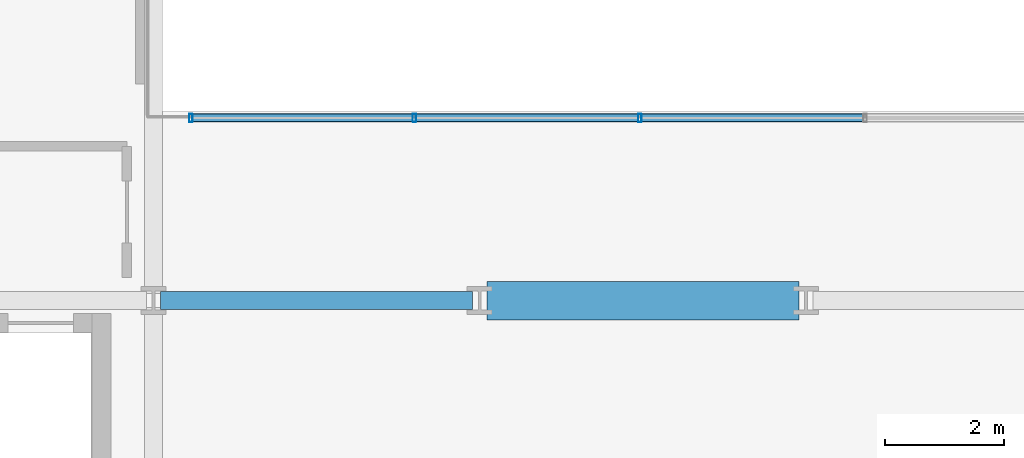
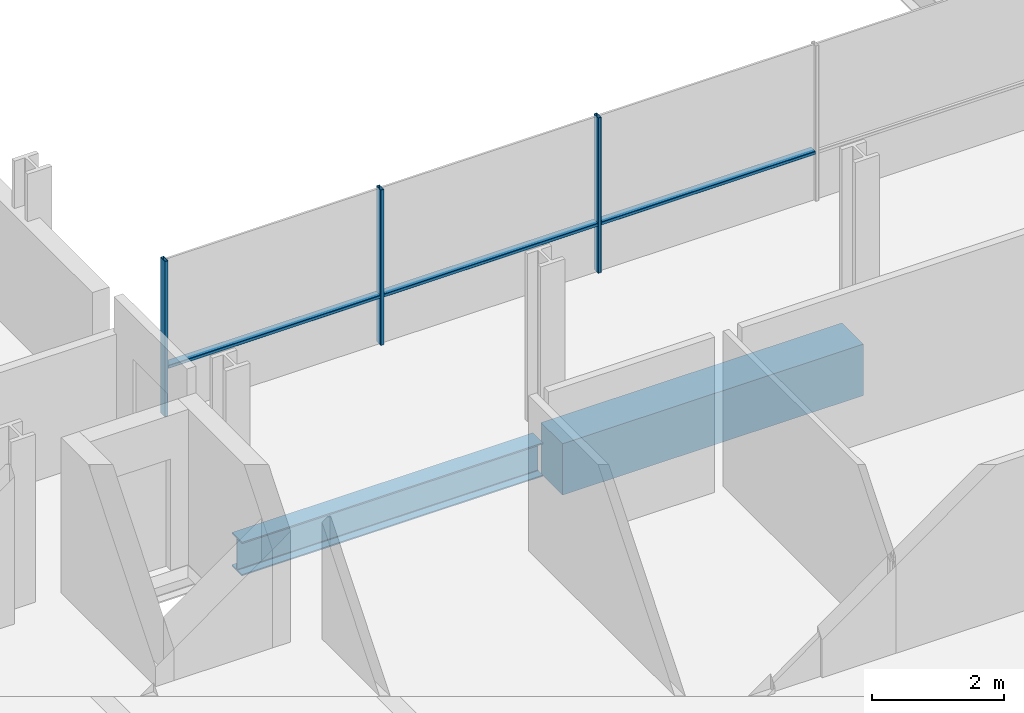
# One storey, part 4 of 40: 6 members, 2 beams, 1 element without a shape of its own.
"""IFC4 building model written with IfcOpenShell, lengths in metres."""

from ifc_helpers import new_model, si_unit, direction, frame, origin, origin_2d, place, context, subcontext, project, spatial, rectangle, hollow_rectangle, i_section, extrude, material, layer, layer_set, material_profile, profile_set, type_object, element, aggregate, save


model = new_model("IFC4")

# Units and contexts
model_context = context("Model", 3, precision=1e-05, world=origin(), true_north=direction((0.0, 1.0)))
body_context = subcontext(model_context, "Body", "Model", "MODEL_VIEW")
ifc_project = project(units=[si_unit("LENGTHUNIT", "METRE"), si_unit("AREAUNIT", "SQUARE_METRE"), si_unit("VOLUMEUNIT", "CUBIC_METRE"), si_unit("PLANEANGLEUNIT", "RADIAN"), si_unit("MASSUNIT", "GRAM", prefix="KILO")], contexts=[model_context])

# Site, building, storey
site_placement = place(None, origin())
site = spatial("IfcSite", under=ifc_project, at=site_placement, CompositionType="ELEMENT")
building_placement = place(site_placement, origin())
building = spatial("IfcBuilding", under=site, at=building_placement, Name="Brevholm Reach", CompositionType="ELEMENT")
storey_placement = place(building_placement, frame((0.0, 0.0, 31.10009765625)))
storey = spatial("IfcBuildingStorey", under=building, at=storey_placement, Name="L07", CompositionType="ELEMENT", Elevation=31.10009765625)

# Beams
ifc_material_1 = material(Name="Concrete C60/75", Category="concrete")
ifc_material_profile_1 = material_profile(ifc_material_1, rectangle(XDim=0.64990234375, YDim=0.949951171875, at=origin_2d()), Name="RC 650x950")
ifc_profile_set_1 = profile_set([ifc_material_profile_1], Name="Concrete C60/75")
beam_type_1 = type_object("IfcBeamType", Name="BM-CB650", PredefinedType="LINTEL", material=ifc_profile_set_1)
beam_1_placement = place(storey_placement, frame((27.3701171875, 10.0, -0.705078125), z_axis=(1.0, 0.0, 0.0), x_axis=(0.0, 1.0, 0.0)))
element("IfcBeam", 1, at=beam_1_placement, inside=storey, type_object=beam_type_1, Name="L07 CB-01 Framing Beam", PredefinedType="LINTEL", context=body_context, shape_type="SweptSolid", body=[
    extrude(rectangle(XDim=0.64990234375, YDim=0.949951171875, at=origin_2d()), origin(), (0.0, 0.0, 1.0), 5.259765625),
])
ifc_material_2 = material(Name="Structural Steel S355J2", Category="steel")
ifc_material_profile_2 = material_profile(ifc_material_2, i_section(OverallWidth=0.30712890625, OverallDepth=0.6201171875, WebThickness=0.01416015625, FlangeThickness=0.023681640625, FilletRadius=0.0166015625, at=origin_2d()), Name="UKB 610x305x179")
ifc_profile_set_2 = profile_set([ifc_material_profile_2], Name="Structural Steel S355J2")
beam_type_2 = type_object("IfcBeamType", Name="BM-UKB610H", PredefinedType="USERDEFINED", material=ifc_profile_set_2)
beam_2_placement = place(storey_placement, frame((21.8701171875, 10.0, -0.540283203125), z_axis=(1.0, 0.0, 0.0), x_axis=(0.0, 1.0, 0.0)))
element("IfcBeam", 2, at=beam_2_placement, inside=storey, type_object=beam_type_2, Name="L07 G-06 Framing Beam", ObjectType="GIRDER", PredefinedType="USERDEFINED", context=body_context, shape_type="SweptSolid", body=[
    extrude(i_section(OverallWidth=0.30712890625, OverallDepth=0.6201171875, WebThickness=0.01416015625, FlangeThickness=0.023681640625, FilletRadius=0.0166015625, at=origin_2d()), origin(), (0.0, 0.0, 1.0), 5.259765625),
])

# Curtain wall, members
ifc_material_3 = material(Name="Dark Anodised Aluminium 6063-T6 and Solar-Control Glass", Category="aluminium")
ifc_layer = layer(ifc_material_3, 0.139892578125)
ifc_layer_set = layer_set([ifc_layer], Name="Dark Anodised Aluminium 6063-T6 and Solar-Control Glass")
curtain_wall_type = type_object("IfcCurtainWallType", Name="CW-02", PredefinedType="NOTDEFINED", material=ifc_layer_set)
curtain_wall_placement = place(storey_placement, origin())
curtain_wall = element("IfcCurtainWall", 3, at=curtain_wall_placement, inside=storey, type_object=curtain_wall_type, Name="L07 Curtain Wall CW-02", PredefinedType="NOTDEFINED")
ifc_material_4 = material(Name="Dark Anodised Aluminium 6063-T6", Category="aluminium")
ifc_material_profile_3 = material_profile(ifc_material_4, hollow_rectangle(XDim=0.06005859375, YDim=0.139892578125, WallThickness=0.0048828125, InnerFilletRadius=0.0048828125, OuterFilletRadius=0.010009765625, at=origin_2d()), Name="RHS 140x60x5")
ifc_profile_set_3 = profile_set([ifc_material_profile_3], Name="Dark Anodised Aluminium 6063-T6")
member_type_1 = type_object("IfcMemberType", Name="CWM-140", PredefinedType="MULLION", material=ifc_profile_set_3)
member_1_placement = place(storey_placement, frame((22.3798828125, 13.080078125, 0.0), z_axis=(0.0, 0.0, 1.0), x_axis=(1.0, 0.0, 0.0)))
member_1 = element("IfcMember", 4, at=member_1_placement, type_object=member_type_1, Name="CM-140 Mullion 1", PredefinedType="MULLION", context=body_context, shape_type="SweptSolid", body=[
    extrude(hollow_rectangle(XDim=0.06005859375, YDim=0.139892578125, WallThickness=0.0048828125, InnerFilletRadius=0.0048828125, OuterFilletRadius=0.010009765625, at=origin_2d()), origin(), (0.0, 0.0, 1.0), 2.869873046875),
])
member_2_placement = place(storey_placement, frame((26.14990234375, 13.080078125, 0.0), z_axis=(0.0, 0.0, 1.0), x_axis=(1.0, 0.0, 0.0)))
member_2 = element("IfcMember", 5, at=member_2_placement, type_object=member_type_1, Name="CM-140 Mullion 2", PredefinedType="MULLION", context=body_context, shape_type="SweptSolid", body=[
    extrude(hollow_rectangle(XDim=0.06005859375, YDim=0.139892578125, WallThickness=0.0048828125, InnerFilletRadius=0.0048828125, OuterFilletRadius=0.010009765625, at=origin_2d()), origin(), (0.0, 0.0, 1.0), 2.869873046875),
])
member_3_placement = place(storey_placement, frame((29.949951171875, 13.080078125, 0.0), z_axis=(0.0, 0.0, 1.0), x_axis=(1.0, 0.0, 0.0)))
member_3 = element("IfcMember", 6, at=member_3_placement, type_object=member_type_1, Name="CM-140 Mullion 3", PredefinedType="MULLION", context=body_context, shape_type="SweptSolid", body=[
    extrude(hollow_rectangle(XDim=0.06005859375, YDim=0.139892578125, WallThickness=0.0048828125, InnerFilletRadius=0.0048828125, OuterFilletRadius=0.010009765625, at=origin_2d()), origin(), (0.0, 0.0, 1.0), 2.869873046875),
])
ifc_material_5 = material(Name="Dark Anodised Aluminium 6063-T6", Category="aluminium")
ifc_material_profile_4 = material_profile(ifc_material_5, hollow_rectangle(XDim=0.06005859375, YDim=0.139892578125, WallThickness=0.0048828125, InnerFilletRadius=0.0048828125, OuterFilletRadius=0.010009765625, at=origin_2d()), Name="RHS 140x60x5")
ifc_profile_set_4 = profile_set([ifc_material_profile_4], Name="Dark Anodised Aluminium 6063-T6")
member_type_2 = type_object("IfcMemberType", Name="CWT-140", PredefinedType="NOTDEFINED", material=ifc_profile_set_4)
member_4_placement = place(storey_placement, frame((22.409912109375, 13.080078125, 0.89990234375), z_axis=(1.0, 0.0, 0.0), x_axis=(0.0, 0.0, 1.0)))
member_4 = element("IfcMember", 7, at=member_4_placement, type_object=member_type_2, Name="CT-140 Transom 1.1", ObjectType="TRANSOM", PredefinedType="USERDEFINED", context=body_context, shape_type="SweptSolid", body=[
    extrude(hollow_rectangle(XDim=0.06005859375, YDim=0.139892578125, WallThickness=0.0048828125, InnerFilletRadius=0.0048828125, OuterFilletRadius=0.010009765625, at=origin_2d()), origin(), (0.0, 0.0, 1.0), 3.710205078125),
])
member_5_placement = place(storey_placement, frame((26.179931640625, 13.080078125, 0.89990234375), z_axis=(1.0, 0.0, 0.0), x_axis=(0.0, 0.0, 1.0)))
member_5 = element("IfcMember", 8, at=member_5_placement, type_object=member_type_2, Name="CT-140 Transom 2.1", ObjectType="TRANSOM", PredefinedType="USERDEFINED", context=body_context, shape_type="SweptSolid", body=[
    extrude(hollow_rectangle(XDim=0.06005859375, YDim=0.139892578125, WallThickness=0.0048828125, InnerFilletRadius=0.0048828125, OuterFilletRadius=0.010009765625, at=origin_2d()), origin(), (0.0, 0.0, 1.0), 3.739990234375),
])
member_6_placement = place(storey_placement, frame((29.97998046875, 13.080078125, 0.89990234375), z_axis=(1.0, 0.0, 0.0), x_axis=(0.0, 0.0, 1.0)))
member_6 = element("IfcMember", 9, at=member_6_placement, type_object=member_type_2, Name="CT-140 Transom 3.1", ObjectType="TRANSOM", PredefinedType="USERDEFINED", context=body_context, shape_type="SweptSolid", body=[
    extrude(hollow_rectangle(XDim=0.06005859375, YDim=0.139892578125, WallThickness=0.0048828125, InnerFilletRadius=0.0048828125, OuterFilletRadius=0.010009765625, at=origin_2d()), origin(), (0.0, 0.0, 1.0), 3.739990234375),
])
aggregate(curtain_wall, [member_1, member_2, member_3, member_4, member_5, member_6])

save(model, "model.ifc")
